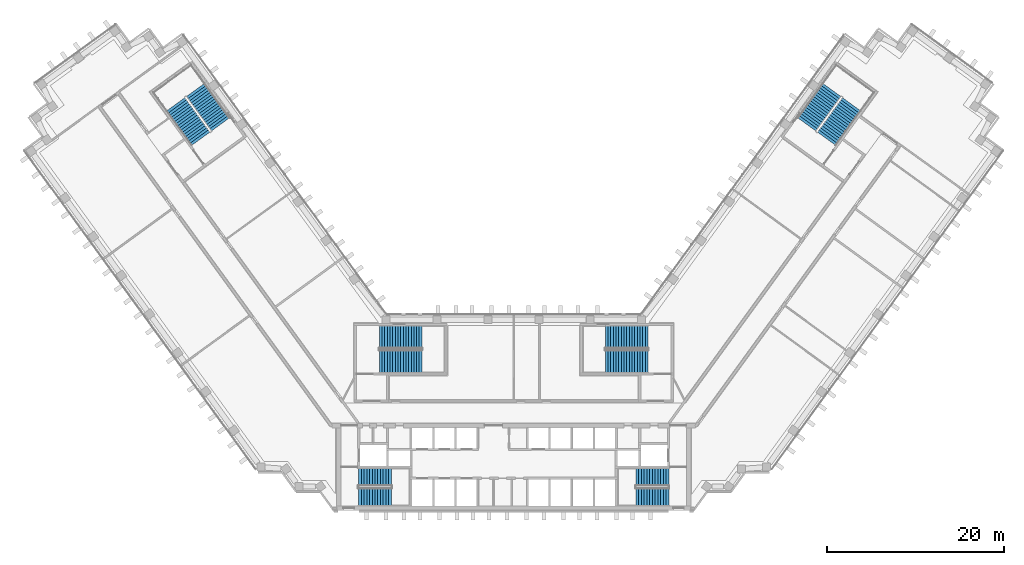
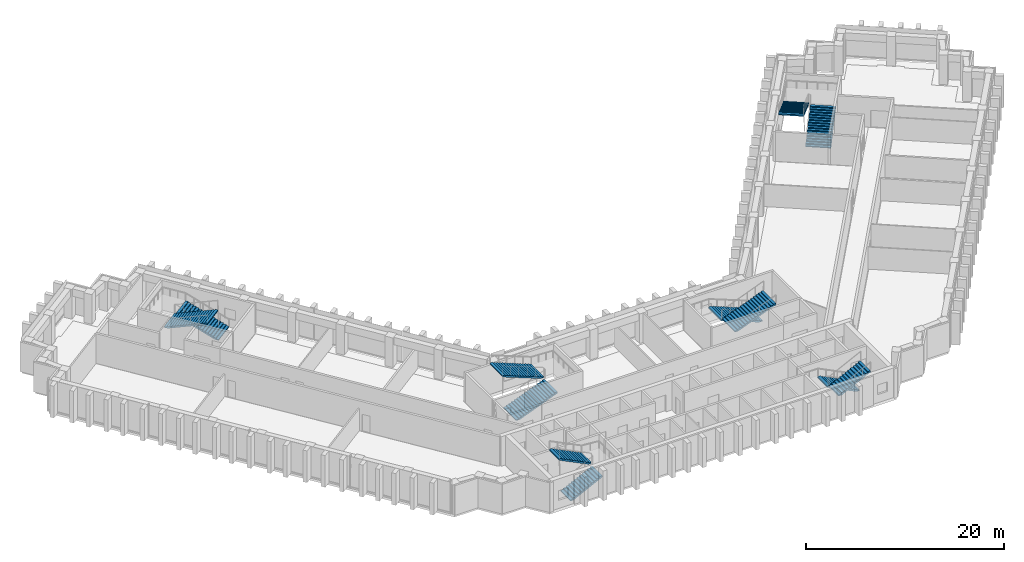
# One storey, part 12 of 15: 12 stair flights, 6 elements without a shape of their own.
"""IFC4 building model written with IfcOpenShell, lengths in metres."""

from ifc_helpers import new_model, si_unit, direction, frame, origin, place, context, subcontext, project, spatial, polyline, outline, extrude, material, type_object, element, aggregate, save


model = new_model("IFC4")

# Units and contexts
model_context = context("Model", 3, precision=1e-05, world=origin(), true_north=direction((0.0, 1.0)))
body_context = subcontext(model_context, "Body", "Model", "MODEL_VIEW")
ifc_project = project(units=[si_unit("LENGTHUNIT", "METRE"), si_unit("AREAUNIT", "SQUARE_METRE"), si_unit("VOLUMEUNIT", "CUBIC_METRE"), si_unit("PLANEANGLEUNIT", "RADIAN"), si_unit("MASSUNIT", "GRAM", prefix="KILO")], contexts=[model_context])

# Site, building, storey
site_placement = place(None, origin())
site = spatial("IfcSite", under=ifc_project, at=site_placement, CompositionType="ELEMENT")
building_placement = place(site_placement, origin())
building = spatial("IfcBuilding", under=site, at=building_placement, Name="Quipu Civic Tower", CompositionType="ELEMENT")
storey_placement = place(building_placement, frame((0.0, 0.0, 31.0)))
storey = spatial("IfcBuildingStorey", under=building, at=storey_placement, Name="L06", CompositionType="ELEMENT", Elevation=31.0)

# Stair, stair flights
ifc_material_1 = material(Name="Concrete C40/50", Category="concrete")
stair_type_1 = type_object("IfcStairType", Name="Half turn stair 2000", PredefinedType="HALF_TURN_STAIR", material=ifc_material_1)
stair_1_placement = place(storey_placement, origin())
stair_1 = element("IfcStair", 1, at=stair_1_placement, inside=storey, type_object=stair_type_1, Name="Exit stair 1", PredefinedType="HALF_TURN_STAIR")
ifc_material_2 = material(Name="Concrete C40/50", Category="concrete")
stair_flight_type_1 = type_object("IfcStairFlightType", Name="Stair flight 2000", PredefinedType="STRAIGHT", material=ifc_material_2)
stair_flight_1_placement = place(storey_placement, frame((-17.5, -9.5, 0.0), z_axis=(0.0, 0.0, 1.0), x_axis=(1.0, 0.0, 0.0)))
stair_flight_1 = element("IfcStairFlight", 2, at=stair_flight_1_placement, type_object=stair_flight_type_1, Name="ST-1 flight 1", NumberOfRisers=13, NumberOfTreads=12, PredefinedType="STRAIGHT", RiserHeight=0.153846154, TreadLength=0.31, context=body_context, shape_type="SweptSolid", body=[
    extrude(outline(polyline([(0.0, 0.0), (0.0, 0.15380859375), (0.31005859375, 0.15380859375), (0.31005859375, 0.3076171875), (0.6201171875, 0.3076171875), (0.6201171875, 0.46142578125), (0.929931640625, 0.46142578125), (0.929931640625, 0.615478515625), (1.239990234375, 0.615478515625), (1.239990234375, 0.769287109375), (1.550048828125, 0.769287109375), (1.550048828125, 0.923095703125), (1.860107421875, 0.923095703125), (1.860107421875, 1.076904296875), (2.169921875, 1.076904296875), (2.169921875, 1.230712890625), (2.47998046875, 1.230712890625), (2.47998046875, 1.384521484375), (2.7900390625, 1.384521484375), (2.7900390625, 1.53857421875), (3.10009765625, 1.53857421875), (3.10009765625, 1.6923828125), (3.409912109375, 1.6923828125), (3.409912109375, 1.84619140625), (3.719970703125, 1.84619140625), (3.719970703125, 2.0), (3.719970703125, 1.6787109375), (0.337158203125, 0.0), (0.0, 0.0)])), frame((0.0, 1.0, 0.0), z_axis=(0.0, -1.0, 0.0), x_axis=(1.0, 0.0, 0.0)), (0.0, 0.0, 1.0), 2.0),
])
stair_flight_2_placement = place(storey_placement, frame((-13.780029296875, -7.25, 2.0), z_axis=(0.0, 0.0, 1.0), x_axis=(-1.0, 0.0, 0.0)))
stair_flight_2 = element("IfcStairFlight", 3, at=stair_flight_2_placement, type_object=stair_flight_type_1, Name="ST-1 flight 2", NumberOfRisers=13, NumberOfTreads=12, PredefinedType="STRAIGHT", RiserHeight=0.153846154, TreadLength=0.31, context=body_context, shape_type="SweptSolid", body=[
    extrude(outline(polyline([(0.0, 0.0), (0.0, 0.15380859375), (0.31005859375, 0.15380859375), (0.31005859375, 0.3076171875), (0.6201171875, 0.3076171875), (0.6201171875, 0.46142578125), (0.929931640625, 0.46142578125), (0.929931640625, 0.615478515625), (1.239990234375, 0.615478515625), (1.239990234375, 0.769287109375), (1.550048828125, 0.769287109375), (1.550048828125, 0.923095703125), (1.860107421875, 0.923095703125), (1.860107421875, 1.076904296875), (2.169921875, 1.076904296875), (2.169921875, 1.230712890625), (2.47998046875, 1.230712890625), (2.47998046875, 1.384521484375), (2.7900390625, 1.384521484375), (2.7900390625, 1.53857421875), (3.10009765625, 1.53857421875), (3.10009765625, 1.6923828125), (3.409912109375, 1.6923828125), (3.409912109375, 1.84619140625), (3.719970703125, 1.84619140625), (3.719970703125, 2.0), (3.719970703125, 1.6787109375), (0.337158203125, 0.0), (0.0, 0.0)])), frame((0.0, 1.0, 0.0), z_axis=(0.0, -1.0, 0.0), x_axis=(1.0, 0.0, 0.0)), (0.0, 0.0, 1.0), 2.0),
])
aggregate(stair_1, [stair_flight_1, stair_flight_2])

stair_2_placement = place(storey_placement, origin())
stair_2 = element("IfcStair", 4, at=stair_2_placement, inside=storey, type_object=stair_type_1, Name="Exit stair 2", PredefinedType="HALF_TURN_STAIR")
stair_flight_3_placement = place(storey_placement, frame((17.5, -7.25, 0.0), z_axis=(0.0, 0.0, 1.0), x_axis=(-1.0, 0.0, 0.0)))
stair_flight_3 = element("IfcStairFlight", 5, at=stair_flight_3_placement, type_object=stair_flight_type_1, Name="ST-2 flight 1", NumberOfRisers=13, NumberOfTreads=12, PredefinedType="STRAIGHT", RiserHeight=0.153846154, TreadLength=0.31, context=body_context, shape_type="SweptSolid", body=[
    extrude(outline(polyline([(0.0, 0.0), (0.0, 0.15380859375), (0.31005859375, 0.15380859375), (0.31005859375, 0.3076171875), (0.6201171875, 0.3076171875), (0.6201171875, 0.46142578125), (0.929931640625, 0.46142578125), (0.929931640625, 0.615478515625), (1.239990234375, 0.615478515625), (1.239990234375, 0.769287109375), (1.550048828125, 0.769287109375), (1.550048828125, 0.923095703125), (1.860107421875, 0.923095703125), (1.860107421875, 1.076904296875), (2.169921875, 1.076904296875), (2.169921875, 1.230712890625), (2.47998046875, 1.230712890625), (2.47998046875, 1.384521484375), (2.7900390625, 1.384521484375), (2.7900390625, 1.53857421875), (3.10009765625, 1.53857421875), (3.10009765625, 1.6923828125), (3.409912109375, 1.6923828125), (3.409912109375, 1.84619140625), (3.719970703125, 1.84619140625), (3.719970703125, 2.0), (3.719970703125, 1.6787109375), (0.337158203125, 0.0), (0.0, 0.0)])), frame((0.0, 1.0, 0.0), z_axis=(0.0, -1.0, 0.0), x_axis=(1.0, 0.0, 0.0)), (0.0, 0.0, 1.0), 2.0),
])
stair_flight_4_placement = place(storey_placement, frame((13.780029296875, -9.5, 2.0), z_axis=(0.0, 0.0, 1.0), x_axis=(1.0, 0.0, 0.0)))
stair_flight_4 = element("IfcStairFlight", 6, at=stair_flight_4_placement, type_object=stair_flight_type_1, Name="ST-2 flight 2", NumberOfRisers=13, NumberOfTreads=12, PredefinedType="STRAIGHT", RiserHeight=0.153846154, TreadLength=0.31, context=body_context, shape_type="SweptSolid", body=[
    extrude(outline(polyline([(0.0, 0.0), (0.0, 0.15380859375), (0.31005859375, 0.15380859375), (0.31005859375, 0.3076171875), (0.6201171875, 0.3076171875), (0.6201171875, 0.46142578125), (0.929931640625, 0.46142578125), (0.929931640625, 0.615478515625), (1.239990234375, 0.615478515625), (1.239990234375, 0.769287109375), (1.550048828125, 0.769287109375), (1.550048828125, 0.923095703125), (1.860107421875, 0.923095703125), (1.860107421875, 1.076904296875), (2.169921875, 1.076904296875), (2.169921875, 1.230712890625), (2.47998046875, 1.230712890625), (2.47998046875, 1.384521484375), (2.7900390625, 1.384521484375), (2.7900390625, 1.53857421875), (3.10009765625, 1.53857421875), (3.10009765625, 1.6923828125), (3.409912109375, 1.6923828125), (3.409912109375, 1.84619140625), (3.719970703125, 1.84619140625), (3.719970703125, 2.0), (3.719970703125, 1.6787109375), (0.337158203125, 0.0), (0.0, 0.0)])), frame((0.0, 1.0, 0.0), z_axis=(0.0, -1.0, 0.0), x_axis=(1.0, 0.0, 0.0)), (0.0, 0.0, 1.0), 2.0),
])
aggregate(stair_2, [stair_flight_3, stair_flight_4])

ifc_material_3 = material(Name="Concrete C40/50", Category="concrete")
stair_type_2 = type_object("IfcStairType", Name="Half turn stair 2600", PredefinedType="HALF_TURN_STAIR", material=ifc_material_3)
stair_3_placement = place(storey_placement, origin())
stair_3 = element("IfcStair", 7, at=stair_3_placement, inside=storey, type_object=stair_type_2, Name="Exit stair 3", PredefinedType="HALF_TURN_STAIR")
ifc_material_4 = material(Name="Concrete C40/50", Category="concrete")
stair_flight_type_2 = type_object("IfcStairFlightType", Name="Stair flight 2600", PredefinedType="STRAIGHT", material=ifc_material_4)
stair_flight_5_placement = place(storey_placement, frame((-15.14990234375, 5.800048828125, 0.0), z_axis=(0.0, 0.0, 1.0), x_axis=(1.0, 0.0, 0.0)))
stair_flight_5 = element("IfcStairFlight", 8, at=stair_flight_5_placement, type_object=stair_flight_type_2, Name="ST-3 flight 1", NumberOfRisers=17, NumberOfTreads=16, PredefinedType="STRAIGHT", RiserHeight=0.117647059, TreadLength=0.3, context=body_context, shape_type="SweptSolid", body=[
    extrude(outline(polyline([(0.0, 0.0), (0.0, 0.11767578125), (0.300048828125, 0.11767578125), (0.300048828125, 0.2353515625), (0.60009765625, 0.2353515625), (0.60009765625, 0.35302734375), (0.89990234375, 0.35302734375), (0.89990234375, 0.470703125), (1.199951171875, 0.470703125), (1.199951171875, 0.588134765625), (1.5, 0.588134765625), (1.5, 0.705810546875), (1.800048828125, 0.705810546875), (1.800048828125, 0.823486328125), (2.10009765625, 0.823486328125), (2.10009765625, 0.941162109375), (2.39990234375, 0.941162109375), (2.39990234375, 1.058837890625), (2.699951171875, 1.058837890625), (2.699951171875, 1.176513671875), (3.0, 1.176513671875), (3.0, 1.294189453125), (3.300048828125, 1.294189453125), (3.300048828125, 1.411865234375), (3.60009765625, 1.411865234375), (3.60009765625, 1.529296875), (3.89990234375, 1.529296875), (3.89990234375, 1.64697265625), (4.199951171875, 1.64697265625), (4.199951171875, 1.7646484375), (4.5, 1.7646484375), (4.5, 1.88232421875), (4.800048828125, 1.88232421875), (4.800048828125, 2.0), (4.800048828125, 1.721435546875), (0.41064453125, 0.0), (0.0, 0.0)])), frame((0.0, 1.300048828125, 0.0), z_axis=(0.0, -1.0, 0.0), x_axis=(1.0, 0.0, 0.0)), (0.0, 0.0, 1.0), 2.60009765625),
])
stair_flight_6_placement = place(storey_placement, frame((-10.35009765625, 8.550048828125, 2.0), z_axis=(0.0, 0.0, 1.0), x_axis=(-1.0, 0.0, 0.0)))
stair_flight_6 = element("IfcStairFlight", 9, at=stair_flight_6_placement, type_object=stair_flight_type_2, Name="ST-3 flight 2", NumberOfRisers=17, NumberOfTreads=16, PredefinedType="STRAIGHT", RiserHeight=0.117647059, TreadLength=0.3, context=body_context, shape_type="SweptSolid", body=[
    extrude(outline(polyline([(0.0, 0.0), (0.0, 0.11767578125), (0.300048828125, 0.11767578125), (0.300048828125, 0.2353515625), (0.60009765625, 0.2353515625), (0.60009765625, 0.35302734375), (0.89990234375, 0.35302734375), (0.89990234375, 0.470703125), (1.199951171875, 0.470703125), (1.199951171875, 0.588134765625), (1.5, 0.588134765625), (1.5, 0.705810546875), (1.800048828125, 0.705810546875), (1.800048828125, 0.823486328125), (2.10009765625, 0.823486328125), (2.10009765625, 0.941162109375), (2.39990234375, 0.941162109375), (2.39990234375, 1.058837890625), (2.699951171875, 1.058837890625), (2.699951171875, 1.176513671875), (3.0, 1.176513671875), (3.0, 1.294189453125), (3.300048828125, 1.294189453125), (3.300048828125, 1.411865234375), (3.60009765625, 1.411865234375), (3.60009765625, 1.529296875), (3.89990234375, 1.529296875), (3.89990234375, 1.64697265625), (4.199951171875, 1.64697265625), (4.199951171875, 1.7646484375), (4.5, 1.7646484375), (4.5, 1.88232421875), (4.800048828125, 1.88232421875), (4.800048828125, 2.0), (4.800048828125, 1.721435546875), (0.41064453125, 0.0), (0.0, 0.0)])), frame((0.0, 1.300048828125, 0.0), z_axis=(0.0, -1.0, 0.0), x_axis=(1.0, 0.0, 0.0)), (0.0, 0.0, 1.0), 2.60009765625),
])
aggregate(stair_3, [stair_flight_5, stair_flight_6])

stair_4_placement = place(storey_placement, origin())
stair_4 = element("IfcStair", 10, at=stair_4_placement, inside=storey, type_object=stair_type_2, Name="Exit stair 4", PredefinedType="HALF_TURN_STAIR")
stair_flight_7_placement = place(storey_placement, frame((15.14990234375, 8.550048828125, 0.0), z_axis=(0.0, 0.0, 1.0), x_axis=(-1.0, 0.0, 0.0)))
stair_flight_7 = element("IfcStairFlight", 11, at=stair_flight_7_placement, type_object=stair_flight_type_2, Name="ST-4 flight 1", NumberOfRisers=17, NumberOfTreads=16, PredefinedType="STRAIGHT", RiserHeight=0.117647059, TreadLength=0.3, context=body_context, shape_type="SweptSolid", body=[
    extrude(outline(polyline([(0.0, 0.0), (0.0, 0.11767578125), (0.300048828125, 0.11767578125), (0.300048828125, 0.2353515625), (0.60009765625, 0.2353515625), (0.60009765625, 0.35302734375), (0.89990234375, 0.35302734375), (0.89990234375, 0.470703125), (1.199951171875, 0.470703125), (1.199951171875, 0.588134765625), (1.5, 0.588134765625), (1.5, 0.705810546875), (1.800048828125, 0.705810546875), (1.800048828125, 0.823486328125), (2.10009765625, 0.823486328125), (2.10009765625, 0.941162109375), (2.39990234375, 0.941162109375), (2.39990234375, 1.058837890625), (2.699951171875, 1.058837890625), (2.699951171875, 1.176513671875), (3.0, 1.176513671875), (3.0, 1.294189453125), (3.300048828125, 1.294189453125), (3.300048828125, 1.411865234375), (3.60009765625, 1.411865234375), (3.60009765625, 1.529296875), (3.89990234375, 1.529296875), (3.89990234375, 1.64697265625), (4.199951171875, 1.64697265625), (4.199951171875, 1.7646484375), (4.5, 1.7646484375), (4.5, 1.88232421875), (4.800048828125, 1.88232421875), (4.800048828125, 2.0), (4.800048828125, 1.721435546875), (0.41064453125, 0.0), (0.0, 0.0)])), frame((0.0, 1.300048828125, 0.0), z_axis=(0.0, -1.0, 0.0), x_axis=(1.0, 0.0, 0.0)), (0.0, 0.0, 1.0), 2.60009765625),
])
stair_flight_8_placement = place(storey_placement, frame((10.35009765625, 5.800048828125, 2.0), z_axis=(0.0, 0.0, 1.0), x_axis=(1.0, 0.0, 0.0)))
stair_flight_8 = element("IfcStairFlight", 12, at=stair_flight_8_placement, type_object=stair_flight_type_2, Name="ST-4 flight 2", NumberOfRisers=17, NumberOfTreads=16, PredefinedType="STRAIGHT", RiserHeight=0.117647059, TreadLength=0.3, context=body_context, shape_type="SweptSolid", body=[
    extrude(outline(polyline([(0.0, 0.0), (0.0, 0.11767578125), (0.300048828125, 0.11767578125), (0.300048828125, 0.2353515625), (0.60009765625, 0.2353515625), (0.60009765625, 0.35302734375), (0.89990234375, 0.35302734375), (0.89990234375, 0.470703125), (1.199951171875, 0.470703125), (1.199951171875, 0.588134765625), (1.5, 0.588134765625), (1.5, 0.705810546875), (1.800048828125, 0.705810546875), (1.800048828125, 0.823486328125), (2.10009765625, 0.823486328125), (2.10009765625, 0.941162109375), (2.39990234375, 0.941162109375), (2.39990234375, 1.058837890625), (2.699951171875, 1.058837890625), (2.699951171875, 1.176513671875), (3.0, 1.176513671875), (3.0, 1.294189453125), (3.300048828125, 1.294189453125), (3.300048828125, 1.411865234375), (3.60009765625, 1.411865234375), (3.60009765625, 1.529296875), (3.89990234375, 1.529296875), (3.89990234375, 1.64697265625), (4.199951171875, 1.64697265625), (4.199951171875, 1.7646484375), (4.5, 1.7646484375), (4.5, 1.88232421875), (4.800048828125, 1.88232421875), (4.800048828125, 2.0), (4.800048828125, 1.721435546875), (0.41064453125, 0.0), (0.0, 0.0)])), frame((0.0, 1.300048828125, 0.0), z_axis=(0.0, -1.0, 0.0), x_axis=(1.0, 0.0, 0.0)), (0.0, 0.0, 1.0), 2.60009765625),
])
aggregate(stair_4, [stair_flight_7, stair_flight_8])

stair_5_placement = place(storey_placement, origin())
stair_5 = element("IfcStair", 13, at=stair_5_placement, inside=storey, type_object=stair_type_2, Name="Exit stair 6", PredefinedType="HALF_TURN_STAIR")
stair_flight_9_placement = place(storey_placement, frame((-33.067626953125, 32.5322265625, 0.0), z_axis=(0.0, 0.0, 1.0), x_axis=(-0.587785252292, 0.809016994375, 0.0)))
stair_flight_9 = element("IfcStairFlight", 14, at=stair_flight_9_placement, type_object=stair_flight_type_2, Name="ST-6 flight 1", NumberOfRisers=17, NumberOfTreads=16, PredefinedType="STRAIGHT", RiserHeight=0.117647059, TreadLength=0.3, context=body_context, shape_type="SweptSolid", body=[
    extrude(outline(polyline([(0.0, 0.0), (0.0, 0.11767578125), (0.300048828125, 0.11767578125), (0.300048828125, 0.2353515625), (0.60009765625, 0.2353515625), (0.60009765625, 0.35302734375), (0.89990234375, 0.35302734375), (0.89990234375, 0.470703125), (1.199951171875, 0.470703125), (1.199951171875, 0.588134765625), (1.5, 0.588134765625), (1.5, 0.705810546875), (1.800048828125, 0.705810546875), (1.800048828125, 0.823486328125), (2.10009765625, 0.823486328125), (2.10009765625, 0.941162109375), (2.39990234375, 0.941162109375), (2.39990234375, 1.058837890625), (2.699951171875, 1.058837890625), (2.699951171875, 1.176513671875), (3.0, 1.176513671875), (3.0, 1.294189453125), (3.300048828125, 1.294189453125), (3.300048828125, 1.411865234375), (3.60009765625, 1.411865234375), (3.60009765625, 1.529296875), (3.89990234375, 1.529296875), (3.89990234375, 1.64697265625), (4.199951171875, 1.64697265625), (4.199951171875, 1.7646484375), (4.5, 1.7646484375), (4.5, 1.88232421875), (4.800048828125, 1.88232421875), (4.800048828125, 2.0), (4.800048828125, 1.721435546875), (0.41064453125, 0.0), (0.0, 0.0)])), frame((0.0, 1.300048828125, 0.0), z_axis=(0.0, -1.0, 0.0), x_axis=(1.0, 0.0, 0.0)), (0.0, 0.0, 1.0), 2.60009765625),
])
stair_flight_10_placement = place(storey_placement, frame((-38.11376953125, 34.799072265625, 2.0), z_axis=(0.0, 0.0, 1.0), x_axis=(0.587785252292, -0.809016994375, 0.0)))
stair_flight_10 = element("IfcStairFlight", 15, at=stair_flight_10_placement, type_object=stair_flight_type_2, Name="ST-6 flight 2", NumberOfRisers=17, NumberOfTreads=16, PredefinedType="STRAIGHT", RiserHeight=0.117647059, TreadLength=0.3, context=body_context, shape_type="SweptSolid", body=[
    extrude(outline(polyline([(0.0, 0.0), (0.0, 0.11767578125), (0.300048828125, 0.11767578125), (0.300048828125, 0.2353515625), (0.60009765625, 0.2353515625), (0.60009765625, 0.35302734375), (0.89990234375, 0.35302734375), (0.89990234375, 0.470703125), (1.199951171875, 0.470703125), (1.199951171875, 0.588134765625), (1.5, 0.588134765625), (1.5, 0.705810546875), (1.800048828125, 0.705810546875), (1.800048828125, 0.823486328125), (2.10009765625, 0.823486328125), (2.10009765625, 0.941162109375), (2.39990234375, 0.941162109375), (2.39990234375, 1.058837890625), (2.699951171875, 1.058837890625), (2.699951171875, 1.176513671875), (3.0, 1.176513671875), (3.0, 1.294189453125), (3.300048828125, 1.294189453125), (3.300048828125, 1.411865234375), (3.60009765625, 1.411865234375), (3.60009765625, 1.529296875), (3.89990234375, 1.529296875), (3.89990234375, 1.64697265625), (4.199951171875, 1.64697265625), (4.199951171875, 1.7646484375), (4.5, 1.7646484375), (4.5, 1.88232421875), (4.800048828125, 1.88232421875), (4.800048828125, 2.0), (4.800048828125, 1.721435546875), (0.41064453125, 0.0), (0.0, 0.0)])), frame((0.0, 1.300048828125, 0.0), z_axis=(0.0, -1.0, 0.0), x_axis=(1.0, 0.0, 0.0)), (0.0, 0.0, 1.0), 2.60009765625),
])
aggregate(stair_5, [stair_flight_9, stair_flight_10])

stair_6_placement = place(storey_placement, origin())
stair_6 = element("IfcStair", 16, at=stair_6_placement, inside=storey, type_object=stair_type_2, Name="Exit stair 7", PredefinedType="HALF_TURN_STAIR")
stair_flight_11_placement = place(storey_placement, frame((35.29248046875, 30.915771484375, 0.0), z_axis=(0.0, 0.0, 1.0), x_axis=(0.587785252292, 0.809016994375, 0.0)))
stair_flight_11 = element("IfcStairFlight", 17, at=stair_flight_11_placement, type_object=stair_flight_type_2, Name="ST-7 flight 1", NumberOfRisers=17, NumberOfTreads=16, PredefinedType="STRAIGHT", RiserHeight=0.117647059, TreadLength=0.3, context=body_context, shape_type="SweptSolid", body=[
    extrude(outline(polyline([(0.0, 0.0), (0.0, 0.11767578125), (0.300048828125, 0.11767578125), (0.300048828125, 0.2353515625), (0.60009765625, 0.2353515625), (0.60009765625, 0.35302734375), (0.89990234375, 0.35302734375), (0.89990234375, 0.470703125), (1.199951171875, 0.470703125), (1.199951171875, 0.588134765625), (1.5, 0.588134765625), (1.5, 0.705810546875), (1.800048828125, 0.705810546875), (1.800048828125, 0.823486328125), (2.10009765625, 0.823486328125), (2.10009765625, 0.941162109375), (2.39990234375, 0.941162109375), (2.39990234375, 1.058837890625), (2.699951171875, 1.058837890625), (2.699951171875, 1.176513671875), (3.0, 1.176513671875), (3.0, 1.294189453125), (3.300048828125, 1.294189453125), (3.300048828125, 1.411865234375), (3.60009765625, 1.411865234375), (3.60009765625, 1.529296875), (3.89990234375, 1.529296875), (3.89990234375, 1.64697265625), (4.199951171875, 1.64697265625), (4.199951171875, 1.7646484375), (4.5, 1.7646484375), (4.5, 1.88232421875), (4.800048828125, 1.88232421875), (4.800048828125, 2.0), (4.800048828125, 1.721435546875), (0.41064453125, 0.0), (0.0, 0.0)])), frame((0.0, 1.300048828125, 0.0), z_axis=(0.0, -1.0, 0.0), x_axis=(1.0, 0.0, 0.0)), (0.0, 0.0, 1.0), 2.60009765625),
])
stair_flight_12_placement = place(storey_placement, frame((35.888916015625, 36.41552734375, 2.0), z_axis=(0.0, 0.0, 1.0), x_axis=(-0.587785252292, -0.809016994375, 0.0)))
stair_flight_12 = element("IfcStairFlight", 18, at=stair_flight_12_placement, type_object=stair_flight_type_2, Name="ST-7 flight 2", NumberOfRisers=17, NumberOfTreads=16, PredefinedType="STRAIGHT", RiserHeight=0.117647059, TreadLength=0.3, context=body_context, shape_type="SweptSolid", body=[
    extrude(outline(polyline([(0.0, 0.0), (0.0, 0.11767578125), (0.300048828125, 0.11767578125), (0.300048828125, 0.2353515625), (0.60009765625, 0.2353515625), (0.60009765625, 0.35302734375), (0.89990234375, 0.35302734375), (0.89990234375, 0.470703125), (1.199951171875, 0.470703125), (1.199951171875, 0.588134765625), (1.5, 0.588134765625), (1.5, 0.705810546875), (1.800048828125, 0.705810546875), (1.800048828125, 0.823486328125), (2.10009765625, 0.823486328125), (2.10009765625, 0.941162109375), (2.39990234375, 0.941162109375), (2.39990234375, 1.058837890625), (2.699951171875, 1.058837890625), (2.699951171875, 1.176513671875), (3.0, 1.176513671875), (3.0, 1.294189453125), (3.300048828125, 1.294189453125), (3.300048828125, 1.411865234375), (3.60009765625, 1.411865234375), (3.60009765625, 1.529296875), (3.89990234375, 1.529296875), (3.89990234375, 1.64697265625), (4.199951171875, 1.64697265625), (4.199951171875, 1.7646484375), (4.5, 1.7646484375), (4.5, 1.88232421875), (4.800048828125, 1.88232421875), (4.800048828125, 2.0), (4.800048828125, 1.721435546875), (0.41064453125, 0.0), (0.0, 0.0)])), frame((0.0, 1.300048828125, 0.0), z_axis=(0.0, -1.0, 0.0), x_axis=(1.0, 0.0, 0.0)), (0.0, 0.0, 1.0), 2.60009765625),
])
aggregate(stair_6, [stair_flight_11, stair_flight_12])

save(model, "model.ifc")
